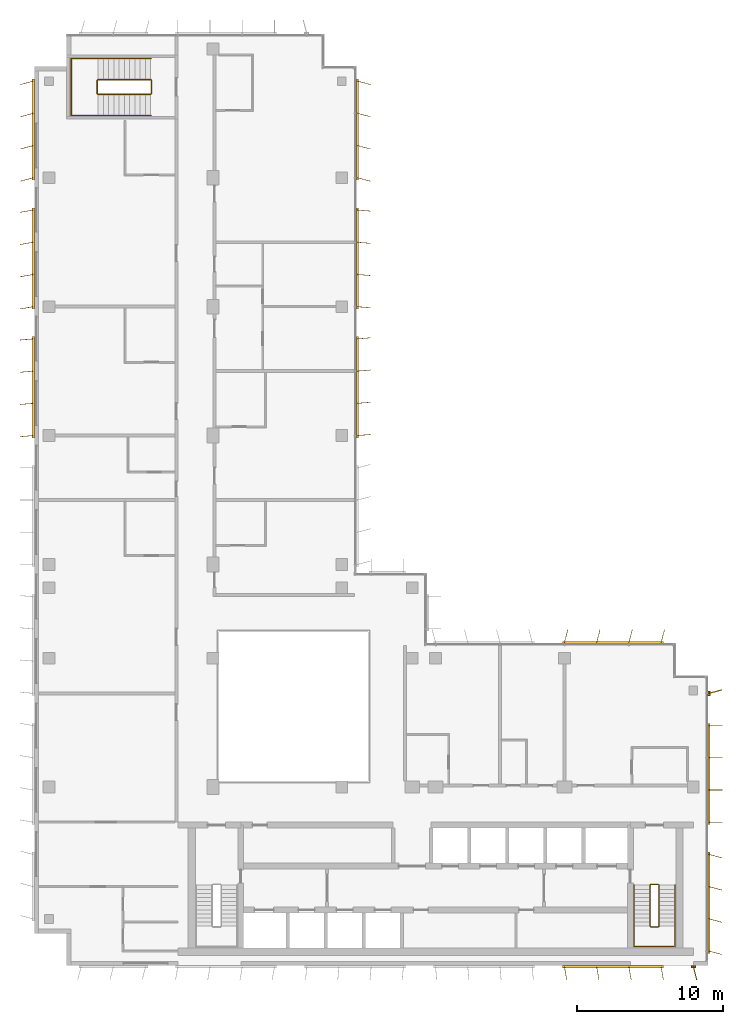
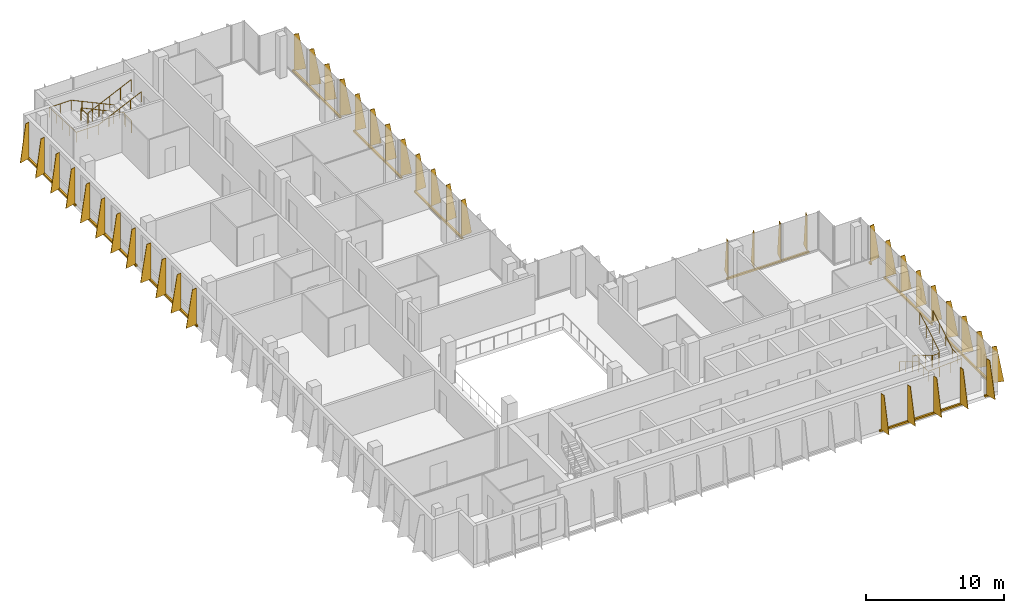
# One storey, part 14 of 15: 12 shading devices, 4 railings.
"""IFC4 building model written with IfcOpenShell, lengths in metres."""

from ifc_helpers import new_model, si_unit, direction, frame, origin, origin_2d, place, context, subcontext, project, spatial, polyline, rectangle, circle, outline, extrude, source, transform, mapped, material, layer, layer_set, type_object, element, save


model = new_model("IFC4")

# Units and contexts
model_context = context("Model", 3, precision=1e-05, world=origin(), true_north=direction((0.0, 1.0)))
body_context = subcontext(model_context, "Body", "Model", "MODEL_VIEW")
ifc_project = project(units=[si_unit("LENGTHUNIT", "METRE"), si_unit("AREAUNIT", "SQUARE_METRE"), si_unit("VOLUMEUNIT", "CUBIC_METRE"), si_unit("PLANEANGLEUNIT", "RADIAN"), si_unit("MASSUNIT", "GRAM", prefix="KILO")], contexts=[model_context])

# Site, building, storey
site_placement = place(None, origin())
site = spatial("IfcSite", under=ifc_project, at=site_placement, CompositionType="ELEMENT")
building_placement = place(site_placement, origin())
building = spatial("IfcBuilding", under=site, at=building_placement, Name="Kemantara Hotel Tower", CompositionType="ELEMENT")
storey_placement = place(building_placement, frame((0.0, 0.0, 264.800048828125)))
storey = spatial("IfcBuildingStorey", under=building, at=storey_placement, Name="L66", CompositionType="ELEMENT", Elevation=264.800048828125)

# Railings
ifc_material_1 = material(Name="Stainless steel balustrade", Category="steel")
railing_type_1 = type_object("IfcRailingType", Name="Stair guard 1100 mm", PredefinedType="GUARDRAIL", material=ifc_material_1)
railing_1_placement = place(storey_placement, frame((42.64990234375, 5.5, 3.699951171875)))
element("IfcRailing", 1, at=railing_1_placement, inside=storey, type_object=railing_type_1, Name="L66 ST2 stair guard 1", PredefinedType="GUARDRAIL", context=body_context, shape_type="SweptSolid", body=[
    extrude(circle(Radius=0.02392578125, at=origin_2d()), frame((0.0, 0.0, 1.076171875), z_axis=(0.0, -0.857242210791, -0.514913383045), x_axis=(1.0, 0.0, 0.0)), (0.0, 0.0, 1.0), 3.266357421875),
    extrude(circle(Radius=0.02392578125, at=origin_2d()), frame((0.0, -2.800048828125, -0.60595703125), z_axis=(-0.273006030465, -0.27434429532, -0.922064485248), x_axis=(0.708833529934, -0.705375805398, 0.0)), (0.0, 0.0, 1.0), 0.182373046875),
    extrude(circle(Radius=0.02392578125, at=origin_2d()), frame((-0.0498046875, -2.85009765625, -0.77392578125), z_axis=(-1.0, 0.0, 0.0), x_axis=(0.0, -1.0, 0.0)), (0.0, 0.0, 1.0), 0.5),
    extrude(circle(Radius=0.02392578125, at=origin_2d()), frame((-0.5498046875, -2.85009765625, -0.77392578125), z_axis=(-0.707106781187, 0.707106781187, 0.0), x_axis=(-0.707106781187, -0.707106781187, 0.0)), (0.0, 0.0, 1.0), 0.07080078125),
    extrude(circle(Radius=0.02392578125, at=origin_2d()), frame((-0.599853515625, -2.800048828125, -0.77392578125), z_axis=(0.0, 0.857275202839, -0.514858452973), x_axis=(-1.0, 0.0, 0.0)), (0.0, 0.0, 1.0), 3.26611328125),
    extrude(circle(Radius=0.02392578125, at=origin_2d()), frame((-0.599853515625, 0.0, -2.45556640625), z_axis=(0.274243871929, 0.274243871929, -0.92172696468), x_axis=(-0.707106781187, 0.707106781187, 0.0)), (0.0, 0.0, 1.0), 0.1826171875),
    extrude(circle(Radius=0.02392578125, at=origin_2d()), frame((-0.5498046875, 0.050048828125, -2.6240234375), z_axis=(1.0, 0.0, 0.0), x_axis=(0.0, 1.0, 0.0)), (0.0, 0.0, 1.0), 0.5),
    extrude(circle(Radius=0.02099609375, at=origin_2d()), origin(), (0.0, 0.0, 1.0), 1.052001953125),
    extrude(circle(Radius=0.02099609375, at=origin_2d()), frame((0.0, -0.933349609375, -0.560546875)), (0.0, 0.0, 1.0), 1.052001953125),
    extrude(circle(Radius=0.02099609375, at=origin_2d()), frame((0.0, -1.86669921875, -1.121337890625)), (0.0, 0.0, 1.0), 1.052001953125),
    extrude(circle(Radius=0.02099609375, at=origin_2d()), frame((0.0, -2.800048828125, -1.681884765625)), (0.0, 0.0, 1.0), 1.052001953125),
    extrude(circle(Radius=0.02099609375, at=origin_2d()), frame((-0.0498046875, -2.85009765625, -1.85009765625)), (0.0, 0.0, 1.0), 1.052001953125),
    extrude(circle(Radius=0.02099609375, at=origin_2d()), frame((-0.5498046875, -2.85009765625, -1.85009765625)), (0.0, 0.0, 1.0), 1.052001953125),
    extrude(circle(Radius=0.02099609375, at=origin_2d()), frame((-0.599853515625, -2.800048828125, -1.85009765625)), (0.0, 0.0, 1.0), 1.052001953125),
    extrude(circle(Radius=0.02099609375, at=origin_2d()), frame((-0.599853515625, -1.86669921875, -2.41064453125)), (0.0, 0.0, 1.0), 1.052001953125),
    extrude(circle(Radius=0.02099609375, at=origin_2d()), frame((-0.599853515625, -0.933349609375, -2.97119140625)), (0.0, 0.0, 1.0), 1.052001953125),
    extrude(circle(Radius=0.02099609375, at=origin_2d()), frame((-0.599853515625, 0.0, -3.53173828125)), (0.0, 0.0, 1.0), 1.052001953125),
    extrude(circle(Radius=0.02099609375, at=origin_2d()), frame((-0.5498046875, 0.050048828125, -3.699951171875)), (0.0, 0.0, 1.0), 1.052001953125),
    extrude(circle(Radius=0.02099609375, at=origin_2d()), frame((-0.0498046875, 0.050048828125, -3.699951171875)), (0.0, 0.0, 1.0), 1.052001953125),
])
railing_2_placement = place(storey_placement, frame((7.949951171875, 59.5, 3.699951171875)))
element("IfcRailing", 2, at=railing_2_placement, inside=storey, type_object=railing_type_1, Name="L66 ST4 stair guard 1", PredefinedType="GUARDRAIL", context=body_context, shape_type="SweptSolid", body=[
    extrude(circle(Radius=0.02392578125, at=origin_2d()), frame((0.0, 0.0, 1.076171875), z_axis=(-0.905994681025, 0.0, -0.423289071386), x_axis=(0.0, -1.0, 0.0)), (0.0, 0.0, 1.0), 3.973388671875),
    extrude(circle(Radius=0.02392578125, at=origin_2d()), frame((-3.599853515625, 0.0, -0.60595703125), z_axis=(-0.274243871929, 0.274243871929, -0.92172696468), x_axis=(-0.707106781187, -0.707106781187, 0.0)), (0.0, 0.0, 1.0), 0.1826171875),
    extrude(circle(Radius=0.02392578125, at=origin_2d()), frame((-3.64990234375, 0.050048828125, -0.77392578125), z_axis=(0.0, 1.0, 0.0), x_axis=(-1.0, 0.0, 0.0)), (0.0, 0.0, 1.0), 0.89990234375),
    extrude(circle(Radius=0.02392578125, at=origin_2d()), frame((-3.64990234375, 0.949951171875, -0.77392578125), z_axis=(0.707106781187, 0.707106781187, 0.0), x_axis=(-0.707106781187, 0.707106781187, 0.0)), (0.0, 0.0, 1.0), 0.07080078125),
    extrude(circle(Radius=0.02392578125, at=origin_2d()), frame((-3.599853515625, 1.0, -0.77392578125), z_axis=(0.906018243939, 0.0, -0.423238634402), x_axis=(0.0, 1.0, 0.0)), (0.0, 0.0, 1.0), 3.973388671875),
    extrude(circle(Radius=0.02392578125, at=origin_2d()), frame((0.0, 1.0, -2.45556640625), z_axis=(0.274243871929, -0.274243871929, -0.92172696468), x_axis=(0.707106781187, 0.707106781187, 0.0)), (0.0, 0.0, 1.0), 0.1826171875),
    extrude(circle(Radius=0.02392578125, at=origin_2d()), frame((0.050048828125, 0.949951171875, -2.6240234375), z_axis=(0.0, -1.0, 0.0), x_axis=(1.0, 0.0, 0.0)), (0.0, 0.0, 1.0), 0.89990234375),
    extrude(circle(Radius=0.02099609375, at=origin_2d()), origin(), (0.0, 0.0, 1.0), 1.052001953125),
    extrude(circle(Radius=0.02099609375, at=origin_2d()), frame((-0.89990234375, 0.0, -0.42041015625)), (0.0, 0.0, 1.0), 1.052001953125),
    extrude(circle(Radius=0.02099609375, at=origin_2d()), frame((-1.7998046875, 0.0, -0.8408203125)), (0.0, 0.0, 1.0), 1.052001953125),
    extrude(circle(Radius=0.02099609375, at=origin_2d()), frame((-2.699951171875, 0.0, -1.261474609375)), (0.0, 0.0, 1.0), 1.052001953125),
    extrude(circle(Radius=0.02099609375, at=origin_2d()), frame((-3.599853515625, 0.0, -1.681884765625)), (0.0, 0.0, 1.0), 1.052001953125),
    extrude(circle(Radius=0.02099609375, at=origin_2d()), frame((-3.64990234375, 0.050048828125, -1.85009765625)), (0.0, 0.0, 1.0), 1.052001953125),
    extrude(circle(Radius=0.02099609375, at=origin_2d()), frame((-3.64990234375, 0.949951171875, -1.85009765625)), (0.0, 0.0, 1.0), 1.052001953125),
    extrude(circle(Radius=0.02099609375, at=origin_2d()), frame((-3.599853515625, 1.0, -1.85009765625)), (0.0, 0.0, 1.0), 1.052001953125),
    extrude(circle(Radius=0.02099609375, at=origin_2d()), frame((-2.699951171875, 1.0, -2.2705078125)), (0.0, 0.0, 1.0), 1.052001953125),
    extrude(circle(Radius=0.02099609375, at=origin_2d()), frame((-1.7998046875, 1.0, -2.69091796875)), (0.0, 0.0, 1.0), 1.052001953125),
    extrude(circle(Radius=0.02099609375, at=origin_2d()), frame((-0.89990234375, 1.0, -3.111328125)), (0.0, 0.0, 1.0), 1.052001953125),
    extrude(circle(Radius=0.02099609375, at=origin_2d()), frame((0.0, 1.0, -3.53173828125)), (0.0, 0.0, 1.0), 1.052001953125),
    extrude(circle(Radius=0.02099609375, at=origin_2d()), frame((0.050048828125, 0.949951171875, -3.699951171875)), (0.0, 0.0, 1.0), 1.052001953125),
    extrude(circle(Radius=0.02099609375, at=origin_2d()), frame((0.050048828125, 0.050048828125, -3.699951171875)), (0.0, 0.0, 1.0), 1.052001953125),
])
railing_type_2 = type_object("IfcRailingType", Name="Stair handrail 900 mm", PredefinedType="HANDRAIL", material=ifc_material_1)
railing_3_placement = place(storey_placement, frame((40.949951171875, 5.5, 0.168212890625)))
element("IfcRailing", 3, at=railing_3_placement, inside=storey, type_object=railing_type_2, Name="L66 ST2 stair handrail 1", PredefinedType="HANDRAIL", context=body_context, shape_type="SweptSolid", body=[
    extrude(circle(Radius=0.02392578125, at=origin_2d()), frame((0.0, 0.0, 0.8759765625), z_axis=(0.0, -0.857275202839, 0.514858452973), x_axis=(1.0, 0.0, 0.0)), (0.0, 0.0, 1.0), 3.26611328125),
    extrude(circle(Radius=0.02392578125, at=origin_2d()), frame((0.0, -2.800048828125, 2.5576171875), z_axis=(0.0, -1.0, 0.0), x_axis=(1.0, 0.0, 0.0)), (0.0, 0.0, 1.0), 1.3798828125),
    extrude(circle(Radius=0.02392578125, at=origin_2d()), frame((0.0, -4.179931640625, 2.5576171875), z_axis=(0.998200367801, 0.0, 0.059966871865), x_axis=(0.0, 1.0, 0.0)), (0.0, 0.0, 1.0), 2.80517578125),
    extrude(circle(Radius=0.02392578125, at=origin_2d()), frame((2.800048828125, -4.179931640625, 2.7255859375), z_axis=(0.0, 1.0, 0.0), x_axis=(-1.0, 0.0, 0.0)), (0.0, 0.0, 1.0), 1.3798828125),
    extrude(circle(Radius=0.02392578125, at=origin_2d()), frame((2.800048828125, -2.800048828125, 2.7255859375), z_axis=(0.0, 0.857242210791, 0.514913383045), x_axis=(-1.0, 0.0, 0.0)), (0.0, 0.0, 1.0), 3.266357421875),
    extrude(circle(Radius=0.02099609375, at=origin_2d()), origin(), (0.0, 0.0, 1.0), 0.851806640625),
    extrude(circle(Radius=0.02099609375, at=origin_2d()), frame((0.0, -0.933349609375, 0.560546875)), (0.0, 0.0, 1.0), 0.851806640625),
    extrude(circle(Radius=0.02099609375, at=origin_2d()), frame((0.0, -1.86669921875, 1.12109375)), (0.0, 0.0, 1.0), 0.851806640625),
    extrude(circle(Radius=0.02099609375, at=origin_2d()), frame((0.0, -2.800048828125, 1.681640625)), (0.0, 0.0, 1.0), 0.851806640625),
    extrude(circle(Radius=0.02099609375, at=origin_2d()), frame((0.0, -3.489990234375, 1.681640625)), (0.0, 0.0, 1.0), 0.851806640625),
    extrude(circle(Radius=0.02099609375, at=origin_2d()), frame((0.0, -4.179931640625, 1.681640625)), (0.0, 0.0, 1.0), 0.851806640625),
    extrude(circle(Radius=0.02099609375, at=origin_2d()), frame((0.933349609375, -4.179931640625, 1.73779296875)), (0.0, 0.0, 1.0), 0.851806640625),
    extrude(circle(Radius=0.02099609375, at=origin_2d()), frame((1.86669921875, -4.179931640625, 1.793701171875)), (0.0, 0.0, 1.0), 0.851806640625),
    extrude(circle(Radius=0.02099609375, at=origin_2d()), frame((2.800048828125, -4.179931640625, 1.849853515625)), (0.0, 0.0, 1.0), 0.851806640625),
    extrude(circle(Radius=0.02099609375, at=origin_2d()), frame((2.800048828125, -3.489990234375, 1.849853515625)), (0.0, 0.0, 1.0), 0.851806640625),
    extrude(circle(Radius=0.02099609375, at=origin_2d()), frame((2.800048828125, -2.800048828125, 1.849853515625)), (0.0, 0.0, 1.0), 0.851806640625),
    extrude(circle(Radius=0.02099609375, at=origin_2d()), frame((2.800048828125, -1.86669921875, 2.410400390625)), (0.0, 0.0, 1.0), 0.851806640625),
    extrude(circle(Radius=0.02099609375, at=origin_2d()), frame((2.800048828125, -0.933349609375, 2.97119140625)), (0.0, 0.0, 1.0), 0.851806640625),
    extrude(circle(Radius=0.02099609375, at=origin_2d()), frame((2.800048828125, 0.0, 3.53173828125)), (0.0, 0.0, 1.0), 0.851806640625),
])
railing_4_placement = place(storey_placement, frame((7.949951171875, 61.949951171875, 0.168212890625)))
element("IfcRailing", 4, at=railing_4_placement, inside=storey, type_object=railing_type_2, Name="L66 ST4 stair handrail 1", PredefinedType="HANDRAIL", context=body_context, shape_type="SweptSolid", body=[
    extrude(circle(Radius=0.02392578125, at=origin_2d()), frame((0.0, 0.0, 0.8759765625), z_axis=(-0.906018243939, 0.0, 0.423238634402), x_axis=(0.0, -1.0, 0.0)), (0.0, 0.0, 1.0), 3.973388671875),
    extrude(circle(Radius=0.02392578125, at=origin_2d()), frame((-3.599853515625, 0.0, 2.5576171875), z_axis=(-1.0, 0.0, 0.0), x_axis=(0.0, -1.0, 0.0)), (0.0, 0.0, 1.0), 1.830078125),
    extrude(circle(Radius=0.02392578125, at=origin_2d()), frame((-5.429931640625, 0.0, 2.5576171875), z_axis=(0.0, -0.999071085748, 0.043092523981), x_axis=(1.0, 0.0, 0.0)), (0.0, 0.0, 1.0), 3.903564453125),
    extrude(circle(Radius=0.02392578125, at=origin_2d()), frame((-5.429931640625, -3.89990234375, 2.7255859375), z_axis=(1.0, 0.0, 0.0), x_axis=(0.0, 1.0, 0.0)), (0.0, 0.0, 1.0), 1.830078125),
    extrude(circle(Radius=0.02392578125, at=origin_2d()), frame((-3.599853515625, -3.89990234375, 2.7255859375), z_axis=(0.905994681025, 0.0, 0.423289071386), x_axis=(0.0, 1.0, 0.0)), (0.0, 0.0, 1.0), 3.973388671875),
    extrude(circle(Radius=0.02099609375, at=origin_2d()), origin(), (0.0, 0.0, 1.0), 0.851806640625),
    extrude(circle(Radius=0.02099609375, at=origin_2d()), frame((-0.89990234375, 0.0, 0.42041015625)), (0.0, 0.0, 1.0), 0.851806640625),
    extrude(circle(Radius=0.02099609375, at=origin_2d()), frame((-1.7998046875, 0.0, 0.8408203125)), (0.0, 0.0, 1.0), 0.851806640625),
    extrude(circle(Radius=0.02099609375, at=origin_2d()), frame((-2.699951171875, 0.0, 1.26123046875)), (0.0, 0.0, 1.0), 0.851806640625),
    extrude(circle(Radius=0.02099609375, at=origin_2d()), frame((-3.599853515625, 0.0, 1.681640625)), (0.0, 0.0, 1.0), 0.851806640625),
    extrude(circle(Radius=0.02099609375, at=origin_2d()), frame((-4.514892578125, 0.0, 1.681640625)), (0.0, 0.0, 1.0), 0.851806640625),
    extrude(circle(Radius=0.02099609375, at=origin_2d()), frame((-5.429931640625, 0.0, 1.681640625)), (0.0, 0.0, 1.0), 0.851806640625),
    extrude(circle(Radius=0.02099609375, at=origin_2d()), frame((-5.429931640625, -0.97509765625, 1.7236328125)), (0.0, 0.0, 1.0), 0.851806640625),
    extrude(circle(Radius=0.02099609375, at=origin_2d()), frame((-5.429931640625, -1.949951171875, 1.765625)), (0.0, 0.0, 1.0), 0.851806640625),
    extrude(circle(Radius=0.02099609375, at=origin_2d()), frame((-5.429931640625, -2.9248046875, 1.807861328125)), (0.0, 0.0, 1.0), 0.851806640625),
    extrude(circle(Radius=0.02099609375, at=origin_2d()), frame((-5.429931640625, -3.89990234375, 1.849853515625)), (0.0, 0.0, 1.0), 0.851806640625),
    extrude(circle(Radius=0.02099609375, at=origin_2d()), frame((-4.514892578125, -3.89990234375, 1.849853515625)), (0.0, 0.0, 1.0), 0.851806640625),
    extrude(circle(Radius=0.02099609375, at=origin_2d()), frame((-3.599853515625, -3.89990234375, 1.849853515625)), (0.0, 0.0, 1.0), 0.851806640625),
    extrude(circle(Radius=0.02099609375, at=origin_2d()), frame((-2.699951171875, -3.89990234375, 2.270263671875)), (0.0, 0.0, 1.0), 0.851806640625),
    extrude(circle(Radius=0.02099609375, at=origin_2d()), frame((-1.7998046875, -3.89990234375, 2.69091796875)), (0.0, 0.0, 1.0), 0.851806640625),
    extrude(circle(Radius=0.02099609375, at=origin_2d()), frame((-0.89990234375, -3.89990234375, 3.111328125)), (0.0, 0.0, 1.0), 0.851806640625),
    extrude(circle(Radius=0.02099609375, at=origin_2d()), frame((0.0, -3.89990234375, 3.53173828125)), (0.0, 0.0, 1.0), 0.851806640625),
])

# Shading devices
ifc_material_2 = material(Name="Perforated aluminium plate 4 mm bronze anodised", Category="aluminium")
ifc_layer_1 = layer(ifc_material_2, 0.0400390625)
ifc_layer_set_1 = layer_set([ifc_layer_1], Name="Perforated aluminium plate 4 mm bronze anodised")
shading_device_type_1 = type_object("IfcShadingDeviceType", Name="SCREEN FIN CASSETTE, 4 BLADES AT -5.0 DEG, 3200 HIGH", PredefinedType="USERDEFINED", material=ifc_layer_set_1)
shared_shape_1 = source(origin(), body_context, "Body", "SweptSolid", [
    extrude(rectangle(XDim=6.89990234375, YDim=0.14990234375, at=origin_2d()), frame((3.300048828125, -0.074951171875, -0.14990234375), z_axis=(0.0, 0.0, 1.0), x_axis=(1.0, 0.0, 0.0)), (0.0, 0.0, 1.0), 0.14990234375),
    extrude(outline(polyline([(0.0, 0.0), (0.89990234375, 0.0), (0.35009765625, 3.199951171875), (0.0, 3.199951171875), (0.0, 0.0)])), frame((0.02001953125, -0.07666015625, 0.0), z_axis=(-0.996376129781, 0.085056498884, 0.0), x_axis=(-0.085056498884, -0.996376129781, 0.0)), (0.0, 0.0, 1.0), 0.040283203125),
    extrude(outline(polyline([(0.0, 0.0), (0.89990234375, 0.0), (0.35009765625, 3.199951171875), (0.0, 3.199951171875), (0.0, 0.0)])), frame((2.219970703125, -0.07666015625, 0.0), z_axis=(-0.996331773833, 0.085574508182, 0.0), x_axis=(-0.085574508182, -0.996331773833, 0.0)), (0.0, 0.0, 1.0), 0.0400390625),
    extrude(outline(polyline([(0.0, 0.0), (0.89990234375, 0.0), (0.35009765625, 3.199951171875), (0.0, 3.199951171875), (0.0, 0.0)])), frame((4.419921875, -0.07666015625, 0.0), z_axis=(-0.996331773833, 0.085574508182, 0.0), x_axis=(-0.085574508182, -0.996331773833, 0.0)), (0.0, 0.0, 1.0), 0.0400390625),
    extrude(outline(polyline([(0.0, 0.0), (0.89990234375, 0.0), (0.35009765625, 3.199951171875), (0.0, 3.199951171875), (0.0, 0.0)])), frame((6.619873046875, -0.07666015625, 0.0), z_axis=(-0.996331773833, 0.085574508182, 0.0), x_axis=(-0.085574508182, -0.996331773833, 0.0)), (0.0, 0.0, 1.0), 0.0400390625),
])
shading_device_1_placement = place(storey_placement, frame((22.0, 45.0, 0.099853515625), z_axis=(0.0, 0.0, 1.0), x_axis=(0.0, 1.0, 0.0)))
element("IfcShadingDevice", 5, at=shading_device_1_placement, inside=storey, type_object=shading_device_type_1, Name="SCREEN FIN CASSETTE L66 T4-R15-3", ObjectType="SCREEN FIN", PredefinedType="USERDEFINED", context=body_context, shape_type="MappedRepresentation", body=[
    mapped(shared_shape_1, transform((0.0, 0.0, 0.0))),
])
ifc_layer_2 = layer(ifc_material_2, 0.0400390625)
ifc_layer_set_2 = layer_set([ifc_layer_2], Name="Perforated aluminium plate 4 mm bronze anodised")
shading_device_type_2 = type_object("IfcShadingDeviceType", Name="SCREEN FIN CASSETTE, 4 BLADES AT +0.0 DEG, 3200 HIGH", PredefinedType="USERDEFINED", material=ifc_layer_set_2)
shared_shape_2 = source(origin(), body_context, "Body", "SweptSolid", [
    extrude(rectangle(XDim=6.89990234375, YDim=0.14990234375, at=origin_2d()), frame((3.300048828125, -0.074951171875, -0.14990234375), z_axis=(0.0, 0.0, 1.0), x_axis=(1.0, 0.0, 0.0)), (0.0, 0.0, 1.0), 0.14990234375),
    extrude(outline(polyline([(0.0, 0.0), (0.89990234375, 0.0), (0.35009765625, 3.199951171875), (0.0, 3.199951171875), (0.0, 0.0)])), frame((0.02001953125, -0.074951171875, 0.0), z_axis=(-1.0, 0.0, 0.0), x_axis=(0.0, -1.0, 0.0)), (0.0, 0.0, 1.0), 0.0400390625),
    extrude(outline(polyline([(0.0, 0.0), (0.89990234375, 0.0), (0.35009765625, 3.199951171875), (0.0, 3.199951171875), (0.0, 0.0)])), frame((2.219970703125, -0.074951171875, 0.0), z_axis=(-1.0, 0.0, 0.0), x_axis=(0.0, -1.0, 0.0)), (0.0, 0.0, 1.0), 0.0400390625),
    extrude(outline(polyline([(0.0, 0.0), (0.89990234375, 0.0), (0.35009765625, 3.199951171875), (0.0, 3.199951171875), (0.0, 0.0)])), frame((4.419921875, -0.074951171875, 0.0), z_axis=(-1.0, 0.0, 0.0), x_axis=(0.0, -1.0, 0.0)), (0.0, 0.0, 1.0), 0.0400390625),
    extrude(outline(polyline([(0.0, 0.0), (0.89990234375, 0.0), (0.35009765625, 3.199951171875), (0.0, 3.199951171875), (0.0, 0.0)])), frame((6.6201171875, -0.074951171875, 0.0), z_axis=(-1.0, 0.0, 0.0), x_axis=(0.0, -1.0, 0.0)), (0.0, 0.0, 1.0), 0.0400390625),
])
shading_device_2_placement = place(storey_placement, frame((46.0, 9.800048828125, 0.099853515625), z_axis=(0.0, 0.0, 1.0), x_axis=(0.0, 1.0, 0.0)))
element("IfcShadingDevice", 6, at=shading_device_2_placement, inside=storey, type_object=shading_device_type_2, Name="SCREEN FIN CASSETTE L66 T4-R09-2", ObjectType="SCREEN FIN", PredefinedType="USERDEFINED", context=body_context, shape_type="MappedRepresentation", body=[
    mapped(shared_shape_2, transform((0.0, 0.0, 0.0))),
])
ifc_layer_3 = layer(ifc_material_2, 0.0400390625)
ifc_layer_set_3 = layer_set([ifc_layer_3], Name="Perforated aluminium plate 4 mm bronze anodised")
shading_device_type_3 = type_object("IfcShadingDeviceType", Name="SCREEN FIN CASSETTE, 4 BLADES AT +5.0 DEG, 3200 HIGH", PredefinedType="USERDEFINED", material=ifc_layer_set_3)
shared_shape_3 = source(origin(), body_context, "Body", "SweptSolid", [
    extrude(rectangle(XDim=6.89990234375, YDim=0.14990234375, at=origin_2d()), frame((3.300048828125, -0.074951171875, -0.14990234375), z_axis=(0.0, 0.0, 1.0), x_axis=(1.0, 0.0, 0.0)), (0.0, 0.0, 1.0), 0.14990234375),
    extrude(outline(polyline([(0.0, 0.0), (0.89990234375, 0.0), (0.35009765625, 3.199951171875), (0.0, 3.199951171875), (0.0, 0.0)])), frame((0.02001953125, -0.0732421875, 0.0), z_axis=(-0.996376129781, -0.085056498884, 0.0), x_axis=(0.085056498884, -0.996376129781, 0.0)), (0.0, 0.0, 1.0), 0.040283203125),
    extrude(outline(polyline([(0.0, 0.0), (0.89990234375, 0.0), (0.35009765625, 3.199951171875), (0.0, 3.199951171875), (0.0, 0.0)])), frame((2.219970703125, -0.0732421875, 0.0), z_axis=(-0.996331773833, -0.085574508182, 0.0), x_axis=(0.085574508182, -0.996331773833, 0.0)), (0.0, 0.0, 1.0), 0.0400390625),
    extrude(outline(polyline([(0.0, 0.0), (0.89990234375, 0.0), (0.35009765625, 3.199951171875), (0.0, 3.199951171875), (0.0, 0.0)])), frame((4.419921875, -0.0732421875, 0.0), z_axis=(-0.996331773833, -0.085574508182, 0.0), x_axis=(0.085574508182, -0.996331773833, 0.0)), (0.0, 0.0, 1.0), 0.0400390625),
    extrude(outline(polyline([(0.0, 0.0), (0.89990234375, 0.0), (0.35009765625, 3.199951171875), (0.0, 3.199951171875), (0.0, 0.0)])), frame((6.619873046875, -0.0732421875, 0.0), z_axis=(-0.996331773833, -0.085574508182, 0.0), x_axis=(0.085574508182, -0.996331773833, 0.0)), (0.0, 0.0, 1.0), 0.0400390625),
])
for number, where, z_axis, x_axis, name in (
    (7, (0.0, 42.800048828125, 0.099853515625), (0.0, 0.0, 1.0), (0.0, -1.0, 0.0), "SCREEN FIN CASSETTE L66 T4-R05-3"),
    (8, (22.0, 36.199951171875, 0.099853515625), (0.0, 0.0, 1.0), (0.0, 1.0, 0.0), "SCREEN FIN CASSETTE L66 T4-R15-2"),
):
    element("IfcShadingDevice", number, at=place(storey_placement, frame(where, z_axis=z_axis, x_axis=x_axis)), inside=storey, type_object=shading_device_type_3, Name=name, ObjectType="SCREEN FIN", PredefinedType="USERDEFINED", context=body_context, shape_type="MappedRepresentation", body=[
        mapped(shared_shape_3, transform((0.0, 0.0, 0.0))),
    ])
ifc_layer_4 = layer(ifc_material_2, 0.0400390625)
ifc_layer_set_4 = layer_set([ifc_layer_4], Name="Perforated aluminium plate 4 mm bronze anodised")
shading_device_type_4 = type_object("IfcShadingDeviceType", Name="SCREEN FIN CASSETTE, 4 BLADES AT +10.0 DEG, 3200 HIGH", PredefinedType="USERDEFINED", material=ifc_layer_set_4)
shared_shape_4 = source(origin(), body_context, "Body", "SweptSolid", [
    extrude(rectangle(XDim=6.89990234375, YDim=0.14990234375, at=origin_2d()), frame((3.300048828125, -0.074951171875, -0.14990234375), z_axis=(0.0, 0.0, 1.0), x_axis=(1.0, 0.0, 0.0)), (0.0, 0.0, 1.0), 0.14990234375),
    extrude(outline(polyline([(0.0, 0.0), (0.89990234375, 0.0), (0.35009765625, 3.199951171875), (0.0, 3.199951171875), (0.0, 0.0)])), frame((0.019775390625, -0.071533203125, 0.0), z_axis=(-0.985389793052, -0.170314285219, 0.0), x_axis=(0.170314285219, -0.985389793052, 0.0)), (0.0, 0.0, 1.0), 0.0400390625),
    extrude(outline(polyline([(0.0, 0.0), (0.89990234375, 0.0), (0.35009765625, 3.199951171875), (0.0, 3.199951171875), (0.0, 0.0)])), frame((2.2197265625, -0.071533203125, 0.0), z_axis=(-0.98521175482, -0.171341174751, 0.0), x_axis=(0.171341174751, -0.98521175482, 0.0)), (0.0, 0.0, 1.0), 0.039794921875),
    extrude(outline(polyline([(0.0, 0.0), (0.89990234375, 0.0), (0.35009765625, 3.199951171875), (0.0, 3.199951171875), (0.0, 0.0)])), frame((4.419677734375, -0.071533203125, 0.0), z_axis=(-0.98521175482, -0.171341174751, 0.0), x_axis=(0.171341174751, -0.98521175482, 0.0)), (0.0, 0.0, 1.0), 0.039794921875),
    extrude(outline(polyline([(0.0, 0.0), (0.89990234375, 0.0), (0.35009765625, 3.199951171875), (0.0, 3.199951171875), (0.0, 0.0)])), frame((6.61962890625, -0.071533203125, 0.0), z_axis=(-0.98521175482, -0.171341174751, 0.0), x_axis=(0.171341174751, -0.98521175482, 0.0)), (0.0, 0.0, 1.0), 0.039794921875),
])
for number, where, z_axis, x_axis, name in (
    (9, (0.0, 51.60009765625, 0.099853515625), (0.0, 0.0, 1.0), (0.0, -1.0, 0.0), "SCREEN FIN CASSETTE L66 T4-R05-2"),
    (10, (36.199951171875, 0.0, 0.099853515625), (0.0, 0.0, 1.0), (1.0, 0.0, 0.0), "SCREEN FIN CASSETTE L66 T4-R08-5"),
):
    element("IfcShadingDevice", number, at=place(storey_placement, frame(where, z_axis=z_axis, x_axis=x_axis)), inside=storey, type_object=shading_device_type_4, Name=name, ObjectType="SCREEN FIN", PredefinedType="USERDEFINED", context=body_context, shape_type="MappedRepresentation", body=[
        mapped(shared_shape_4, transform((0.0, 0.0, 0.0))),
    ])
ifc_layer_5 = layer(ifc_material_2, 0.0400390625)
ifc_layer_set_5 = layer_set([ifc_layer_5], Name="Perforated aluminium plate 4 mm bronze anodised")
shading_device_type_5 = type_object("IfcShadingDeviceType", Name="SCREEN FIN CASSETTE, 4 BLADES AT +15.0 DEG, 3200 HIGH", PredefinedType="USERDEFINED", material=ifc_layer_set_5)
shared_shape_5 = source(origin(), body_context, "Body", "SweptSolid", [
    extrude(rectangle(XDim=6.89990234375, YDim=0.14990234375, at=origin_2d()), frame((3.300048828125, -0.074951171875, -0.14990234375), z_axis=(0.0, 0.0, 1.0), x_axis=(1.0, 0.0, 0.0)), (0.0, 0.0, 1.0), 0.14990234375),
    extrude(outline(polyline([(0.0, 0.0), (0.89990234375, 0.0), (0.35009765625, 3.199951171875), (0.0, 3.199951171875), (0.0, 0.0)])), frame((0.019287109375, -0.06982421875, 0.0), z_axis=(-0.966437683387, -0.256901156343, 0.0), x_axis=(0.256901156343, -0.966437683387, 0.0)), (0.0, 0.0, 1.0), 0.039794921875),
    extrude(outline(polyline([(0.0, 0.0), (0.89990234375, 0.0), (0.35009765625, 3.199951171875), (0.0, 3.199951171875), (0.0, 0.0)])), frame((2.21923828125, -0.06982421875, 0.0), z_axis=(-0.966437683387, -0.256901156343, 0.0), x_axis=(0.256901156343, -0.966437683387, 0.0)), (0.0, 0.0, 1.0), 0.039794921875),
    extrude(outline(polyline([(0.0, 0.0), (0.89990234375, 0.0), (0.35009765625, 3.199951171875), (0.0, 3.199951171875), (0.0, 0.0)])), frame((4.41943359375, -0.06982421875, 0.0), z_axis=(-0.966837822169, -0.255391122837, 0.0), x_axis=(0.255391122837, -0.966837822169, 0.0)), (0.0, 0.0, 1.0), 0.0400390625),
    extrude(outline(polyline([(0.0, 0.0), (0.89990234375, 0.0), (0.35009765625, 3.199951171875), (0.0, 3.199951171875), (0.0, 0.0)])), frame((6.619384765625, -0.06982421875, 0.0), z_axis=(-0.966837822169, -0.255391122837, 0.0), x_axis=(0.255391122837, -0.966837822169, 0.0)), (0.0, 0.0, 1.0), 0.0400390625),
])
shading_device_3_placement = place(storey_placement, frame((0.0, 60.39990234375, 0.099853515625), z_axis=(0.0, 0.0, 1.0), x_axis=(0.0, -1.0, 0.0)))
element("IfcShadingDevice", 11, at=shading_device_3_placement, inside=storey, type_object=shading_device_type_5, Name="SCREEN FIN CASSETTE L66 T4-R05-1", ObjectType="SCREEN FIN", PredefinedType="USERDEFINED", context=body_context, shape_type="MappedRepresentation", body=[
    mapped(shared_shape_5, transform((0.0, 0.0, 0.0))),
])
ifc_layer_6 = layer(ifc_material_2, 0.0400390625)
ifc_layer_set_6 = layer_set([ifc_layer_6], Name="Perforated aluminium plate 4 mm bronze anodised")
shading_device_type_6 = type_object("IfcShadingDeviceType", Name="SCREEN FIN CASSETTE, 4 BLADES AT -15.0 DEG, 3200 HIGH", PredefinedType="USERDEFINED", material=ifc_layer_set_6)
shared_shape_6 = source(origin(), body_context, "Body", "SweptSolid", [
    extrude(rectangle(XDim=6.89990234375, YDim=0.14990234375, at=origin_2d()), frame((3.300048828125, -0.074951171875, -0.14990234375), z_axis=(0.0, 0.0, 1.0), x_axis=(1.0, 0.0, 0.0)), (0.0, 0.0, 1.0), 0.14990234375),
    extrude(outline(polyline([(0.0, 0.0), (0.89990234375, 0.0), (0.35009765625, 3.199951171875), (0.0, 3.199951171875), (0.0, 0.0)])), frame((0.019287109375, -0.080078125, 0.0), z_axis=(-0.966437683387, 0.256901156343, 0.0), x_axis=(-0.256901156343, -0.966437683387, 0.0)), (0.0, 0.0, 1.0), 0.039794921875),
    extrude(outline(polyline([(0.0, 0.0), (0.89990234375, 0.0), (0.35009765625, 3.199951171875), (0.0, 3.199951171875), (0.0, 0.0)])), frame((2.21923828125, -0.080078125, 0.0), z_axis=(-0.966437683387, 0.256901156343, 0.0), x_axis=(-0.256901156343, -0.966437683387, 0.0)), (0.0, 0.0, 1.0), 0.039794921875),
    extrude(outline(polyline([(0.0, 0.0), (0.89990234375, 0.0), (0.35009765625, 3.199951171875), (0.0, 3.199951171875), (0.0, 0.0)])), frame((4.41943359375, -0.080078125, 0.0), z_axis=(-0.966837822169, 0.255391122837, 0.0), x_axis=(-0.255391122837, -0.966837822169, 0.0)), (0.0, 0.0, 1.0), 0.0400390625),
    extrude(outline(polyline([(0.0, 0.0), (0.89990234375, 0.0), (0.35009765625, 3.199951171875), (0.0, 3.199951171875), (0.0, 0.0)])), frame((6.619384765625, -0.080078125, 0.0), z_axis=(-0.966837822169, 0.255391122837, 0.0), x_axis=(-0.255391122837, -0.966837822169, 0.0)), (0.0, 0.0, 1.0), 0.0400390625),
])
for number, where, z_axis, x_axis, name in (
    (12, (46.0, 1.0, 0.099853515625), (0.0, 0.0, 1.0), (0.0, 1.0, 0.0), "SCREEN FIN CASSETTE L66 T4-R09-1"),
    (13, (42.800048828125, 22.0, 0.099853515625), (0.0, 0.0, 1.0), (-1.0, 0.0, 0.0), "SCREEN FIN CASSETTE L66 T4-R12-1"),
    (14, (22.0, 53.800048828125, 0.099853515625), (0.0, 0.0, 1.0), (0.0, 1.0, 0.0), "SCREEN FIN CASSETTE L66 T4-R15-4"),
):
    element("IfcShadingDevice", number, at=place(storey_placement, frame(where, z_axis=z_axis, x_axis=x_axis)), inside=storey, type_object=shading_device_type_6, Name=name, ObjectType="SCREEN FIN", PredefinedType="USERDEFINED", context=body_context, shape_type="MappedRepresentation", body=[
        mapped(shared_shape_6, transform((0.0, 0.0, 0.0))),
    ])
ifc_layer_7 = layer(ifc_material_2, 0.0400390625)
ifc_layer_set_7 = layer_set([ifc_layer_7], Name="Perforated aluminium plate 4 mm bronze anodised")
shading_device_type_7 = type_object("IfcShadingDeviceType", Name="SCREEN FIN CASSETTE, 1 BLADE AT +15.0 DEG, 3200 HIGH", PredefinedType="USERDEFINED", material=ifc_layer_set_7)
shared_shape_7 = source(origin(), body_context, "Body", "SweptSolid", [
    extrude(rectangle(XDim=0.300048828125, YDim=0.14990234375, at=origin_2d()), frame((0.0, -0.074951171875, -0.14990234375), z_axis=(0.0, 0.0, 1.0), x_axis=(1.0, 0.0, 0.0)), (0.0, 0.0, 1.0), 0.14990234375),
    extrude(outline(polyline([(0.0, 0.0), (0.89990234375, 0.0), (0.35009765625, 3.199951171875), (0.0, 3.199951171875), (0.0, 0.0)])), frame((0.019287109375, -0.06982421875, 0.0), z_axis=(-0.966437683387, -0.256901156343, 0.0), x_axis=(0.256901156343, -0.966437683387, 0.0)), (0.0, 0.0, 1.0), 0.039794921875),
])
for number, where, z_axis, x_axis, name in (
    (15, (45.0, 0.0, 0.099853515625), (0.0, 0.0, 1.0), (1.0, 0.0, 0.0), "SCREEN FIN CASSETTE L66 T4-R08-6"),
    (16, (46.0, 18.60009765625, 0.099853515625), (0.0, 0.0, 1.0), (0.0, 1.0, 0.0), "SCREEN FIN CASSETTE L66 T4-R09-3"),
):
    element("IfcShadingDevice", number, at=place(storey_placement, frame(where, z_axis=z_axis, x_axis=x_axis)), inside=storey, type_object=shading_device_type_7, Name=name, ObjectType="SCREEN FIN", PredefinedType="USERDEFINED", context=body_context, shape_type="MappedRepresentation", body=[
        mapped(shared_shape_7, transform((0.0, 0.0, 0.0))),
    ])

save(model, "model.ifc")
